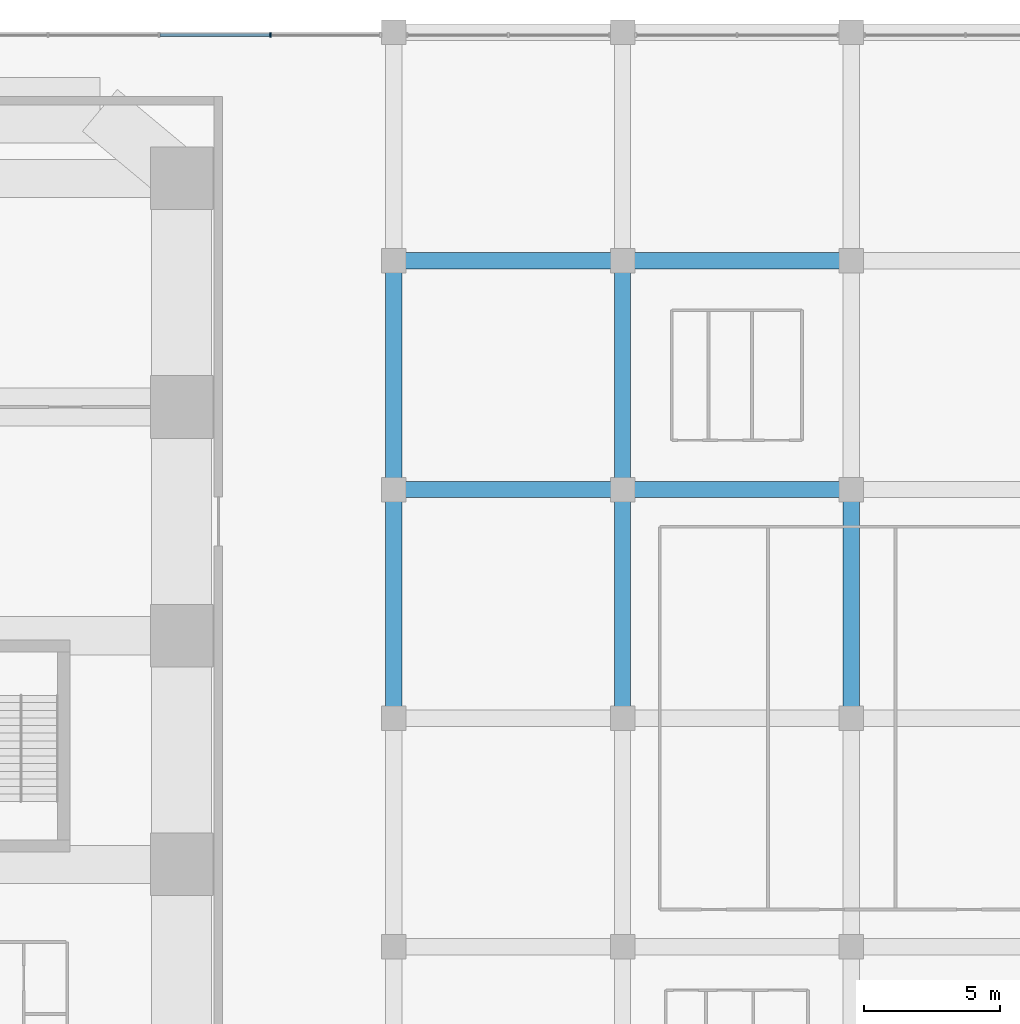
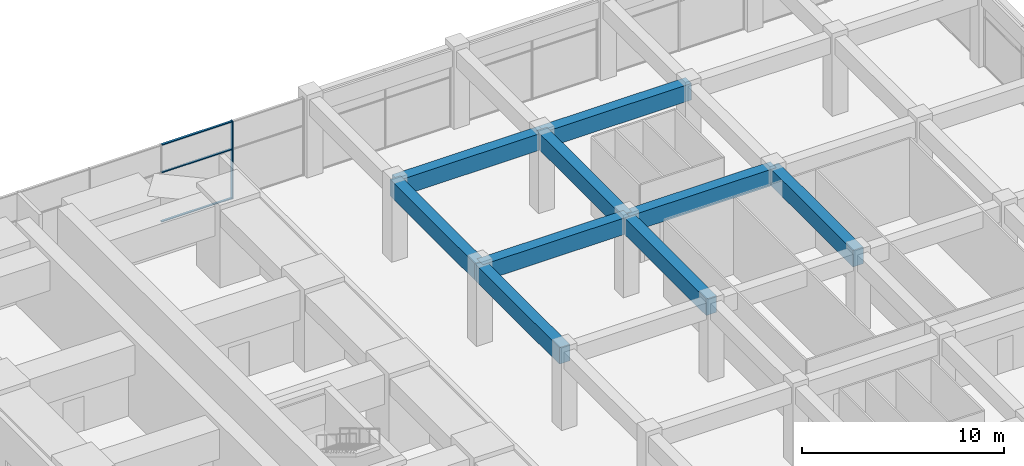
# One storey, part 20 of 36: 9 beams, 4 members, 1 element without a shape of its own.
"""IFC4 building model written with IfcOpenShell, lengths in metres."""

from ifc_helpers import new_model, si_unit, direction, frame, origin, origin_2d, place, context, subcontext, project, spatial, rectangle, extrude, material, material_profile, profile_set, type_object, element, aggregate, save


model = new_model("IFC4")

# Units and contexts
model_context = context("Model", 3, precision=1e-05, world=origin(), true_north=direction((0.0, 1.0)))
body_context = subcontext(model_context, "Body", "Model", "MODEL_VIEW")
ifc_project = project(units=[si_unit("LENGTHUNIT", "METRE"), si_unit("AREAUNIT", "SQUARE_METRE"), si_unit("VOLUMEUNIT", "CUBIC_METRE"), si_unit("PLANEANGLEUNIT", "RADIAN"), si_unit("MASSUNIT", "GRAM", prefix="KILO")], contexts=[model_context])

# Site, building, storey
site_placement = place(None, origin())
site = spatial("IfcSite", under=ifc_project, at=site_placement, CompositionType="ELEMENT")
building_placement = place(site_placement, origin())
building = spatial("IfcBuilding", under=site, at=building_placement, Name="Impinga Residences", CompositionType="ELEMENT")
storey_placement = place(building_placement, frame((0.0, 0.0, 6.0)))
storey = spatial("IfcBuildingStorey", under=building, at=storey_placement, Name="L01", CompositionType="ELEMENT", Elevation=6.0)

# Curtain wall, members
ifc_material_1 = material(Name="Aluminium stick curtain wall", Category="aluminium")
curtain_wall_type = type_object("IfcCurtainWallType", Name="CW1 podium amenity curtain wall", PredefinedType="USERDEFINED", material=ifc_material_1)
curtain_wall_placement = place(storey_placement, origin())
curtain_wall = element("IfcCurtainWall", 1, at=curtain_wall_placement, inside=storey, type_object=curtain_wall_type, Name="Curtain wall CW1 L01", ObjectType="STICK CURTAIN WALL", PredefinedType="USERDEFINED")
ifc_material_2 = material(Name="Aluminium mullion", Category="aluminium")
ifc_material_profile_1 = material_profile(ifc_material_2, rectangle(XDim=0.06005859375, YDim=0.179931640625, at=origin_2d()), Name="60x180 mullion")
ifc_profile_set_1 = profile_set([ifc_material_profile_1], Name="Aluminium mullion")
member_type_1 = type_object("IfcMemberType", Name="CW1-M mullion 60x180", PredefinedType="MULLION", material=ifc_profile_set_1)
member_1_placement = place(storey_placement, frame((12.26025390625, 50.300048828125, 0.0), z_axis=(0.0, 0.0, 1.0), x_axis=(1.0, 0.0, 0.0)))
member_1 = element("IfcMember", 2, at=member_1_placement, type_object=member_type_1, Name="CW1 mullion 8", PredefinedType="MULLION", context=body_context, shape_type="SweptSolid", body=[
    extrude(rectangle(XDim=0.06005859375, YDim=0.179931640625, at=origin_2d()), origin(), (0.0, 0.0, 1.0), 4.699951171875),
])
ifc_material_3 = material(Name="Aluminium transom", Category="aluminium")
ifc_material_profile_2 = material_profile(ifc_material_3, rectangle(XDim=0.06005859375, YDim=0.1201171875, at=origin_2d()), Name="60x120 transom")
ifc_profile_set_2 = profile_set([ifc_material_profile_2], Name="Aluminium transom")
member_type_2 = type_object("IfcMemberType", Name="CW1-T transom 60x120", PredefinedType="USERDEFINED", material=ifc_profile_set_2)
member_2_placement = place(storey_placement, frame((8.20361328125, 50.300048828125, 0.030029296875), z_axis=(1.0, 0.0, 0.0), x_axis=(0.0, 0.0, 1.0)))
member_2 = element("IfcMember", 3, at=member_2_placement, type_object=member_type_2, Name="CW1 transom 7.1", ObjectType="TRANSOM", PredefinedType="USERDEFINED", context=body_context, shape_type="SweptSolid", body=[
    extrude(rectangle(XDim=0.06005859375, YDim=0.1201171875, at=origin_2d()), origin(), (0.0, 0.0, 1.0), 4.026611328125),
])
member_3_placement = place(storey_placement, frame((8.20361328125, 50.300048828125, 3.0), z_axis=(1.0, 0.0, 0.0), x_axis=(0.0, 0.0, 1.0)))
member_3 = element("IfcMember", 4, at=member_3_placement, type_object=member_type_2, Name="CW1 transom 7.2", ObjectType="TRANSOM", PredefinedType="USERDEFINED", context=body_context, shape_type="SweptSolid", body=[
    extrude(rectangle(XDim=0.06005859375, YDim=0.1201171875, at=origin_2d()), origin(), (0.0, 0.0, 1.0), 4.026611328125),
])
member_4_placement = place(storey_placement, frame((8.20361328125, 50.300048828125, 4.669921875), z_axis=(1.0, 0.0, 0.0), x_axis=(0.0, 0.0, 1.0)))
member_4 = element("IfcMember", 5, at=member_4_placement, type_object=member_type_2, Name="CW1 transom 7.3", ObjectType="TRANSOM", PredefinedType="USERDEFINED", context=body_context, shape_type="SweptSolid", body=[
    extrude(rectangle(XDim=0.06005859375, YDim=0.1201171875, at=origin_2d()), origin(), (0.0, 0.0, 1.0), 4.026611328125),
])
aggregate(curtain_wall, [member_1, member_2, member_3, member_4])

# Beams
ifc_material_4 = material(Name="Concrete C60/75", Category="concrete")
ifc_material_profile_3 = material_profile(ifc_material_4, rectangle(XDim=0.60009765625, YDim=1.0, at=origin_2d()), Name="RC 600x1000")
ifc_profile_set_3 = profile_set([ifc_material_profile_3], Name="Concrete C60/75")
beam_type = type_object("IfcBeamType", Name="PB2 600x1000 podium beam", PredefinedType="BEAM", material=ifc_profile_set_3)
beam_1_placement = place(storey_placement, frame((16.800048828125, 33.60009765625, 4.199951171875), z_axis=(1.0, 0.0, 0.0), x_axis=(0.0, 1.0, 0.0)))
element("IfcBeam", 6, at=beam_1_placement, inside=storey, type_object=beam_type, Name="Beam PB2 K/9-10 level L02", PredefinedType="BEAM", context=body_context, shape_type="SweptSolid", body=[
    extrude(rectangle(XDim=0.60009765625, YDim=1.0, at=origin_2d()), origin(), (0.0, 0.0, 1.0), 8.39990234375),
])
beam_2_placement = place(storey_placement, frame((25.199951171875, 33.60009765625, 4.199951171875), z_axis=(1.0, 0.0, 0.0), x_axis=(0.0, 1.0, 0.0)))
element("IfcBeam", 7, at=beam_2_placement, inside=storey, type_object=beam_type, Name="Beam PB2 K/10-11 level L02", PredefinedType="BEAM", context=body_context, shape_type="SweptSolid", body=[
    extrude(rectangle(XDim=0.60009765625, YDim=1.0, at=origin_2d()), origin(), (0.0, 0.0, 1.0), 8.400146484375),
])
beam_3_placement = place(storey_placement, frame((16.800048828125, 42.0, 4.199951171875), z_axis=(1.0, 0.0, 0.0), x_axis=(0.0, 1.0, 0.0)))
element("IfcBeam", 8, at=beam_3_placement, inside=storey, type_object=beam_type, Name="Beam PB2 L/9-10 level L02", PredefinedType="BEAM", context=body_context, shape_type="SweptSolid", body=[
    extrude(rectangle(XDim=0.60009765625, YDim=1.0, at=origin_2d()), origin(), (0.0, 0.0, 1.0), 8.39990234375),
])
for number, where, z_axis, x_axis, name in (
    (9, (25.199951171875, 42.0, 4.199951171875), (1.0, 0.0, 0.0), (0.0, 1.0, 0.0), "Beam PB2 L/10-11 level L02"),
    (10, (16.800048828125, 25.199951171875, 4.199951171875), (0.0, 1.0, 0.0), (-1.0, 0.0, 0.0), "Beam PB2 9/J-K level L02"),
):
    element("IfcBeam", number, at=place(storey_placement, frame(where, z_axis=z_axis, x_axis=x_axis)), inside=storey, type_object=beam_type, Name=name, PredefinedType="BEAM", context=body_context, shape_type="SweptSolid", body=[
        extrude(rectangle(XDim=0.60009765625, YDim=1.0, at=origin_2d()), origin(), (0.0, 0.0, 1.0), 8.400146484375),
    ])
beam_4_placement = place(storey_placement, frame((16.800048828125, 33.60009765625, 4.199951171875), z_axis=(0.0, 1.0, 0.0), x_axis=(-1.0, 0.0, 0.0)))
element("IfcBeam", 11, at=beam_4_placement, inside=storey, type_object=beam_type, Name="Beam PB2 9/K-L level L02", PredefinedType="BEAM", context=body_context, shape_type="SweptSolid", body=[
    extrude(rectangle(XDim=0.60009765625, YDim=1.0, at=origin_2d()), origin(), (0.0, 0.0, 1.0), 8.39990234375),
])
beam_5_placement = place(storey_placement, frame((25.199951171875, 25.199951171875, 4.199951171875), z_axis=(0.0, 1.0, 0.0), x_axis=(-1.0, 0.0, 0.0)))
element("IfcBeam", 12, at=beam_5_placement, inside=storey, type_object=beam_type, Name="Beam PB2 10/J-K level L02", PredefinedType="BEAM", context=body_context, shape_type="SweptSolid", body=[
    extrude(rectangle(XDim=0.60009765625, YDim=1.0, at=origin_2d()), origin(), (0.0, 0.0, 1.0), 8.400146484375),
])
beam_6_placement = place(storey_placement, frame((25.199951171875, 33.60009765625, 4.199951171875), z_axis=(0.0, 1.0, 0.0), x_axis=(-1.0, 0.0, 0.0)))
element("IfcBeam", 13, at=beam_6_placement, inside=storey, type_object=beam_type, Name="Beam PB2 10/K-L level L02", PredefinedType="BEAM", context=body_context, shape_type="SweptSolid", body=[
    extrude(rectangle(XDim=0.60009765625, YDim=1.0, at=origin_2d()), origin(), (0.0, 0.0, 1.0), 8.39990234375),
])
beam_7_placement = place(storey_placement, frame((33.60009765625, 25.199951171875, 4.199951171875), z_axis=(0.0, 1.0, 0.0), x_axis=(-1.0, 0.0, 0.0)))
element("IfcBeam", 14, at=beam_7_placement, inside=storey, type_object=beam_type, Name="Beam PB2 11/J-K level L02", PredefinedType="BEAM", context=body_context, shape_type="SweptSolid", body=[
    extrude(rectangle(XDim=0.60009765625, YDim=1.0, at=origin_2d()), origin(), (0.0, 0.0, 1.0), 8.400146484375),
])

save(model, "model.ifc")
